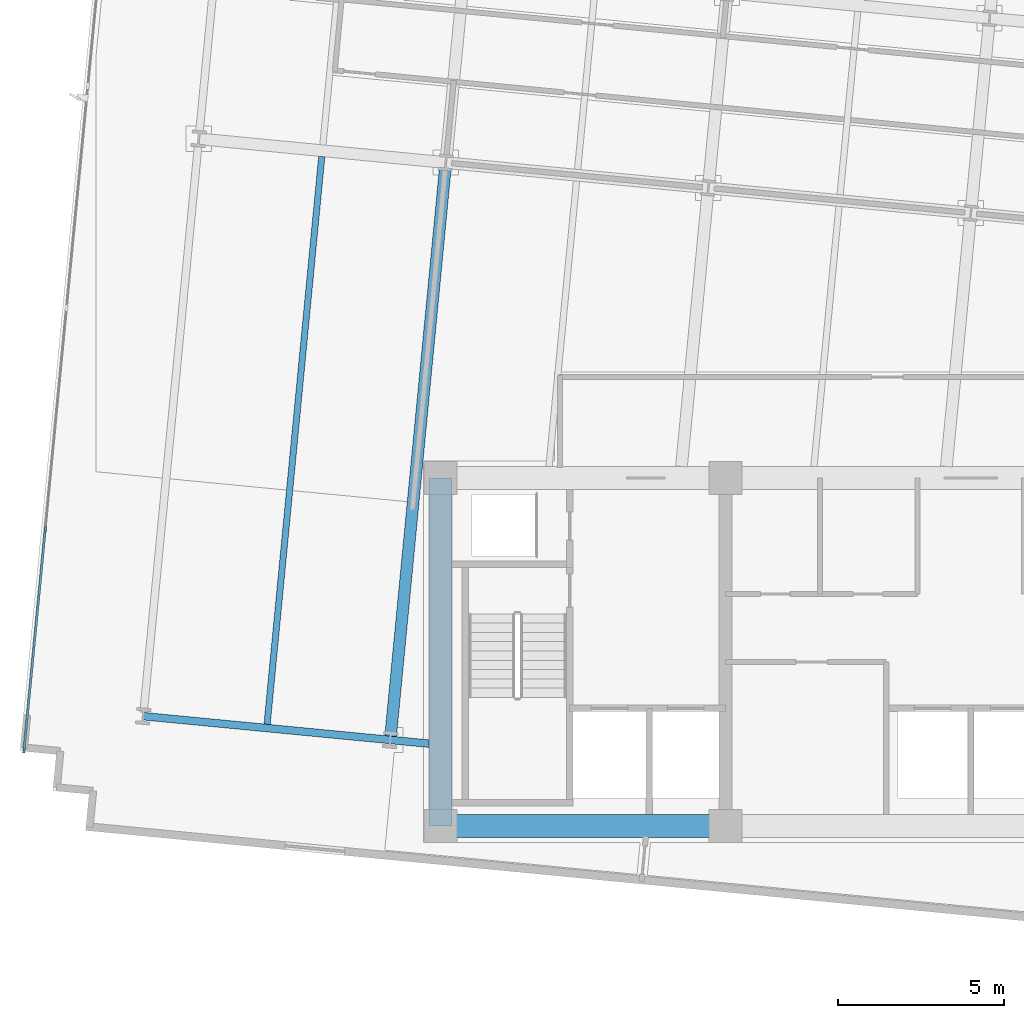
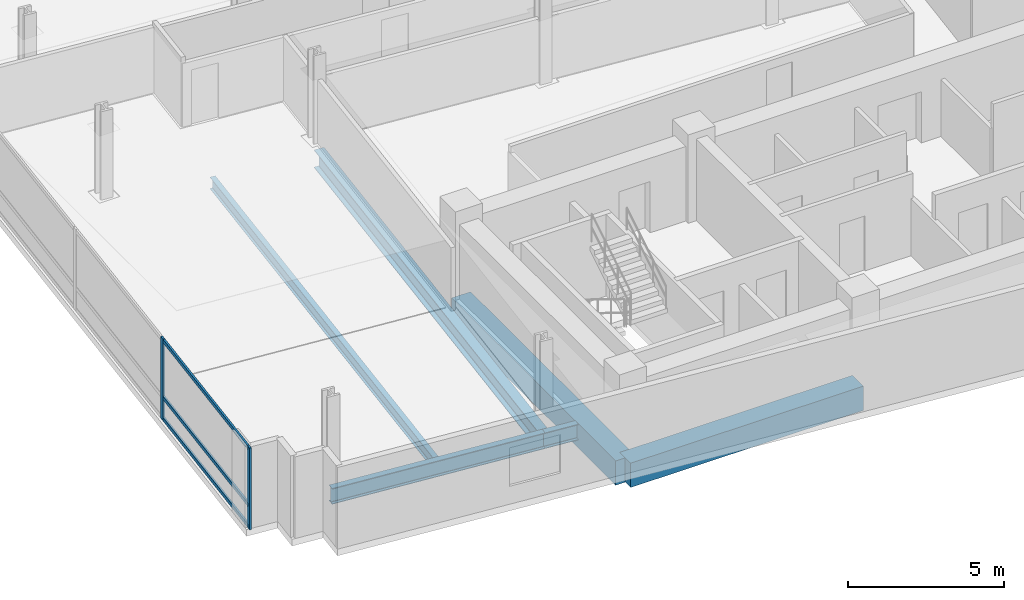
# One storey, part 2 of 17: 6 beams, 5 members, 1 element without a shape of its own.
"""IFC4 building model written with IfcOpenShell, lengths in metres."""

from ifc_helpers import new_model, si_unit, direction, frame, origin, origin_2d, place, context, subcontext, project, spatial, rectangle, i_section, extrude, material, material_profile, profile_set, type_object, element, aggregate, save


model = new_model("IFC4")

# Units and contexts
model_context = context("Model", 3, precision=1e-05, world=origin(), true_north=direction((0.0, 1.0)))
body_context = subcontext(model_context, "Body", "Model", "MODEL_VIEW")
ifc_project = project(units=[si_unit("LENGTHUNIT", "METRE"), si_unit("AREAUNIT", "SQUARE_METRE"), si_unit("VOLUMEUNIT", "CUBIC_METRE"), si_unit("PLANEANGLEUNIT", "RADIAN"), si_unit("MASSUNIT", "GRAM", prefix="KILO")], contexts=[model_context])

# Site, building, storey
site_placement = place(None, origin())
site = spatial("IfcSite", under=ifc_project, at=site_placement, CompositionType="ELEMENT")
building_placement = place(site_placement, origin())
building = spatial("IfcBuilding", under=site, at=building_placement, Name="Solmavex Isthmus Hotel", CompositionType="ELEMENT")
storey_placement = place(building_placement, frame((0.0, 0.0, 163.5)))
storey = spatial("IfcBuildingStorey", under=building, at=storey_placement, Name="L44", CompositionType="ELEMENT", Elevation=163.5)

# Beams
ifc_material_1 = material(Name="Steel ASTM A992 Grade 50", Category="steel")
ifc_material_profile_1 = material_profile(ifc_material_1, i_section(OverallWidth=0.354736328125, OverallDepth=0.695556640625, WebThickness=0.015380859375, FlangeThickness=0.02490234375, FilletRadius=0.017822265625, at=origin_2d()), Name="W27X146")
ifc_profile_set_1 = profile_set([ifc_material_profile_1], Name="Steel ASTM A992 Grade 50")
beam_type_1 = type_object("IfcBeamType", Name="BM-BG-W27X146", PredefinedType="BEAM", material=ifc_profile_set_1)
beam_1_placement = place(storey_placement, frame((-17.503662109375, -10.289306640625, -0.607666015625), z_axis=(0.095840821687, 0.99539667314, 0.0), x_axis=(-0.99539667314, 0.095840821687, 0.0)))
element("IfcBeam", 1, at=beam_1_placement, inside=storey, type_object=beam_type_1, Name="Floor Beam L44-VG24", PredefinedType="BEAM", context=body_context, shape_type="SweptSolid", body=[
    extrude(i_section(OverallWidth=0.354736328125, OverallDepth=0.695556640625, WebThickness=0.015380859375, FlangeThickness=0.02490234375, FilletRadius=0.017822265625, at=origin_2d()), origin(), (0.0, 0.0, 1.0), 17.207275390625),
])
ifc_material_profile_2 = material_profile(ifc_material_1, i_section(OverallWidth=0.1904296875, OverallDepth=0.456787109375, WebThickness=0.009033203125, FlangeThickness=0.014404296875, FilletRadius=0.0126953125, at=origin_2d()), Name="W18X50")
ifc_profile_set_2 = profile_set([ifc_material_profile_2], Name="Steel ASTM A992 Grade 50")
beam_type_2 = type_object("IfcBeamType", Name="BM-BJ-W18X50", PredefinedType="JOIST", material=ifc_profile_set_2)
beam_2_placement = place(storey_placement, frame((-21.23046875, -9.930419921875, -0.488525390625), z_axis=(0.095840821687, 0.99539667314, 0.0), x_axis=(-0.99539667314, 0.095840821687, 0.0)))
element("IfcBeam", 2, at=beam_2_placement, inside=storey, type_object=beam_type_2, Name="Secondary Floor Joist L44-J01", PredefinedType="JOIST", context=body_context, shape_type="SweptSolid", body=[
    extrude(i_section(OverallWidth=0.1904296875, OverallDepth=0.456787109375, WebThickness=0.009033203125, FlangeThickness=0.014404296875, FilletRadius=0.0126953125, at=origin_2d()), origin(), (0.0, 0.0, 1.0), 17.207275390625),
])
ifc_material_2 = material(Name="Concrete C60/75", Category="concrete")
ifc_material_profile_3 = material_profile(ifc_material_2, rectangle(XDim=0.699951171875, YDim=0.949951171875, at=origin_2d()), Name="RC700X950")
ifc_profile_set_3 = profile_set([ifc_material_profile_3], Name="Concrete C60/75")
beam_type_3 = type_object("IfcBeamType", Name="BM-CB-700X950", PredefinedType="BEAM", material=ifc_profile_set_3)
beam_3_placement = place(storey_placement, frame((-16.0, -13.0, -0.735107421875), z_axis=(1.0, 0.0, 0.0), x_axis=(0.0, 1.0, 0.0)))
element("IfcBeam", 3, at=beam_3_placement, inside=storey, type_object=beam_type_3, Name="Core Coupling Beam L44-CB1", PredefinedType="BEAM", context=body_context, shape_type="SweptSolid", body=[
    extrude(rectangle(XDim=0.699951171875, YDim=0.949951171875, at=origin_2d()), origin(), (0.0, 0.0, 1.0), 8.60009765625),
])
beam_4_placement = place(storey_placement, frame((-16.0, -13.0, -0.735107421875), z_axis=(0.0, 1.0, 0.0), x_axis=(-1.0, 0.0, 0.0)))
element("IfcBeam", 4, at=beam_4_placement, inside=storey, type_object=beam_type_3, Name="Core Coupling Beam L44-CB7", PredefinedType="BEAM", context=body_context, shape_type="SweptSolid", body=[
    extrude(rectangle(XDim=0.699951171875, YDim=0.949951171875, at=origin_2d()), origin(), (0.0, 0.0, 1.0), 10.5),
])
ifc_material_profile_4 = material_profile(ifc_material_1, i_section(OverallWidth=0.230224609375, OverallDepth=0.617431640625, WebThickness=0.01318359375, FlangeThickness=0.022216796875, FilletRadius=0.01513671875, at=origin_2d()), Name="W24X94")
ifc_profile_set_4 = profile_set([ifc_material_profile_4], Name="Steel ASTM A992 Grade 50")
beam_type_4 = type_object("IfcBeamType", Name="BM-SP-W24X94", PredefinedType="SPANDREL", material=ifc_profile_set_4)
beam_5_placement = place(storey_placement, frame((-24.96826171875, -9.686279296875, -0.56884765625), z_axis=(0.995395279593, -0.095855293875, 0.0), x_axis=(0.095855293875, 0.995395279593, 0.0)))
element("IfcBeam", 5, at=beam_5_placement, inside=storey, type_object=beam_type_4, Name="Floor Girder L44-UG01", PredefinedType="SPANDREL", context=body_context, shape_type="SweptSolid", body=[
    extrude(i_section(OverallWidth=0.230224609375, OverallDepth=0.617431640625, WebThickness=0.01318359375, FlangeThickness=0.022216796875, FilletRadius=0.01513671875, at=origin_2d()), origin(), (0.0, 0.0, 1.0), 7.488037109375),
])
beam_6_placement = place(storey_placement, frame((-17.5146484375, -10.404052734375, -0.56884765625), z_axis=(0.995402144456, -0.095783979938, 0.0), x_axis=(0.095783979938, 0.995402144456, 0.0)))
element("IfcBeam", 6, at=beam_6_placement, inside=storey, type_object=beam_type_4, Name="Floor Girder L44-UG02", PredefinedType="SPANDREL", context=body_context, shape_type="SweptSolid", body=[
    extrude(i_section(OverallWidth=0.230224609375, OverallDepth=0.617431640625, WebThickness=0.01318359375, FlangeThickness=0.022216796875, FilletRadius=0.01513671875, at=origin_2d()), origin(), (0.0, 0.0, 1.0), 1.169921875),
])

# Curtain wall, members
ifc_material_3 = material(Name="Aluminium alloy 6063-T6", Category="aluminium")
curtain_wall_type = type_object("IfcCurtainWallType", Name="CW-SYS-03", PredefinedType="NOTDEFINED", material=ifc_material_3)
curtain_wall_placement = place(storey_placement, origin())
curtain_wall = element("IfcCurtainWall", 7, at=curtain_wall_placement, inside=storey, type_object=curtain_wall_type, Name="Stick Curtain Wall CWL-L44-W1", PredefinedType="NOTDEFINED")
ifc_material_profile_5 = material_profile(ifc_material_3, rectangle(XDim=0.070068359375, YDim=0.179931640625, at=origin_2d()), Name="CWM-70X180")
ifc_profile_set_5 = profile_set([ifc_material_profile_5], Name="Aluminium alloy 6063-T6")
member_type_1 = type_object("IfcMemberType", Name="CW-SYS-03-MUL", PredefinedType="MULLION", material=ifc_profile_set_5)
member_1_placement = place(storey_placement, frame((-28.56298828125, -10.71142578125, 0.0), z_axis=(0.0, 0.0, 1.0), x_axis=(-0.995396190038, 0.09584583902, 0.0)))
member_1 = element("IfcMember", 8, at=member_1_placement, type_object=member_type_1, Name="CW-03 mullion 1", PredefinedType="MULLION", context=body_context, shape_type="SweptSolid", body=[
    extrude(rectangle(XDim=0.070068359375, YDim=0.179931640625, at=origin_2d()), origin(), (0.0, 0.0, 1.0), 3.18994140625),
])
member_2_placement = place(storey_placement, frame((-27.92236328125, -4.057373046875, 0.0), z_axis=(0.0, 0.0, 1.0), x_axis=(-0.995396190038, 0.09584583902, 0.0)))
member_2 = element("IfcMember", 9, at=member_2_placement, type_object=member_type_1, Name="CW-03 mullion 2", PredefinedType="MULLION", context=body_context, shape_type="SweptSolid", body=[
    extrude(rectangle(XDim=0.070068359375, YDim=0.179931640625, at=origin_2d()), origin(), (0.0, 0.0, 1.0), 3.18994140625),
])
ifc_material_profile_6 = material_profile(ifc_material_3, rectangle(XDim=0.070068359375, YDim=0.139892578125, at=origin_2d()), Name="CWT-70X140")
ifc_profile_set_6 = profile_set([ifc_material_profile_6], Name="Aluminium alloy 6063-T6")
member_type_2 = type_object("IfcMemberType", Name="CW-SYS-03-TRN", PredefinedType="USERDEFINED", material=ifc_profile_set_6)
member_3_placement = place(storey_placement, frame((-28.559814453125, -10.6767578125, 0.070068359375), z_axis=(0.095845316679, 0.995396240334, 0.0), x_axis=(-0.995396240334, 0.095845316679, 0.0)))
member_3 = element("IfcMember", 10, at=member_3_placement, type_object=member_type_2, Name="CW-03 transom 1.1", ObjectType="TRANSOM", PredefinedType="USERDEFINED", context=body_context, shape_type="SweptSolid", body=[
    extrude(rectangle(XDim=0.070068359375, YDim=0.139892578125, at=origin_2d()), origin(), (0.0, 0.0, 1.0), 6.615234375),
])
member_4_placement = place(storey_placement, frame((-28.559814453125, -10.6767578125, 0.89990234375), z_axis=(0.095845316679, 0.995396240334, 0.0), x_axis=(-0.995396240334, 0.095845316679, 0.0)))
member_4 = element("IfcMember", 11, at=member_4_placement, type_object=member_type_2, Name="CW-03 transom 1.2", ObjectType="TRANSOM", PredefinedType="USERDEFINED", context=body_context, shape_type="SweptSolid", body=[
    extrude(rectangle(XDim=0.070068359375, YDim=0.139892578125, at=origin_2d()), origin(), (0.0, 0.0, 1.0), 6.615234375),
])
member_5_placement = place(storey_placement, frame((-28.559814453125, -10.6767578125, 3.1201171875), z_axis=(0.095845316679, 0.995396240334, 0.0), x_axis=(-0.995396240334, 0.095845316679, 0.0)))
member_5 = element("IfcMember", 12, at=member_5_placement, type_object=member_type_2, Name="CW-03 transom 1.3", ObjectType="TRANSOM", PredefinedType="USERDEFINED", context=body_context, shape_type="SweptSolid", body=[
    extrude(rectangle(XDim=0.070068359375, YDim=0.139892578125, at=origin_2d()), origin(), (0.0, 0.0, 1.0), 6.615234375),
])
aggregate(curtain_wall, [member_1, member_2, member_3, member_4, member_5])

save(model, "model.ifc")
